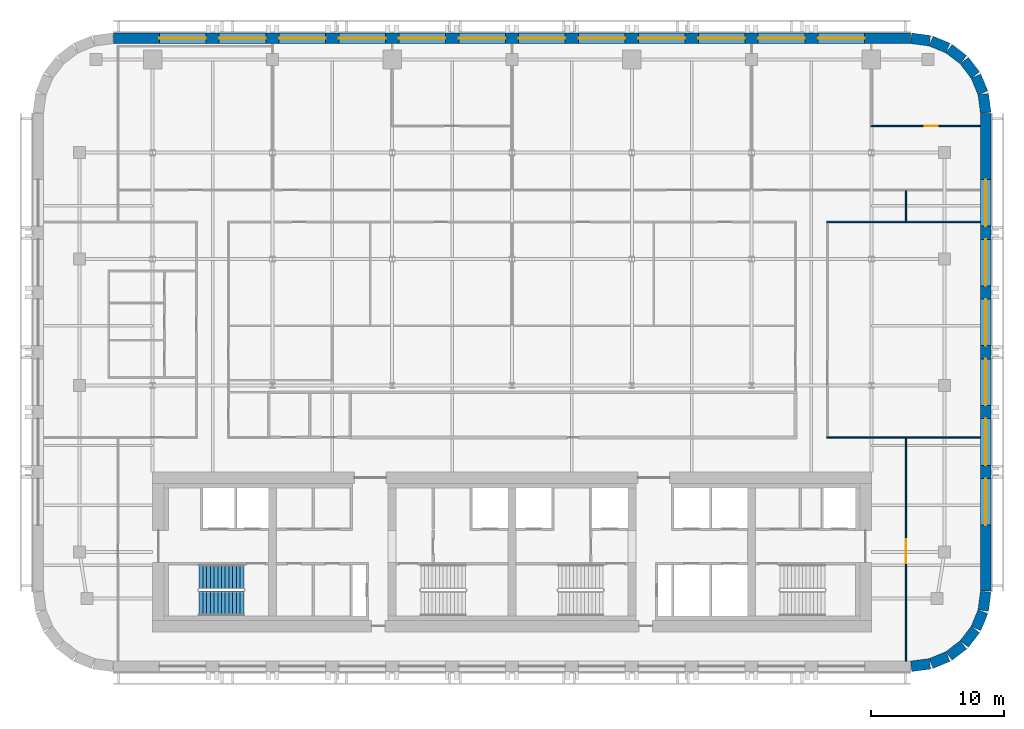
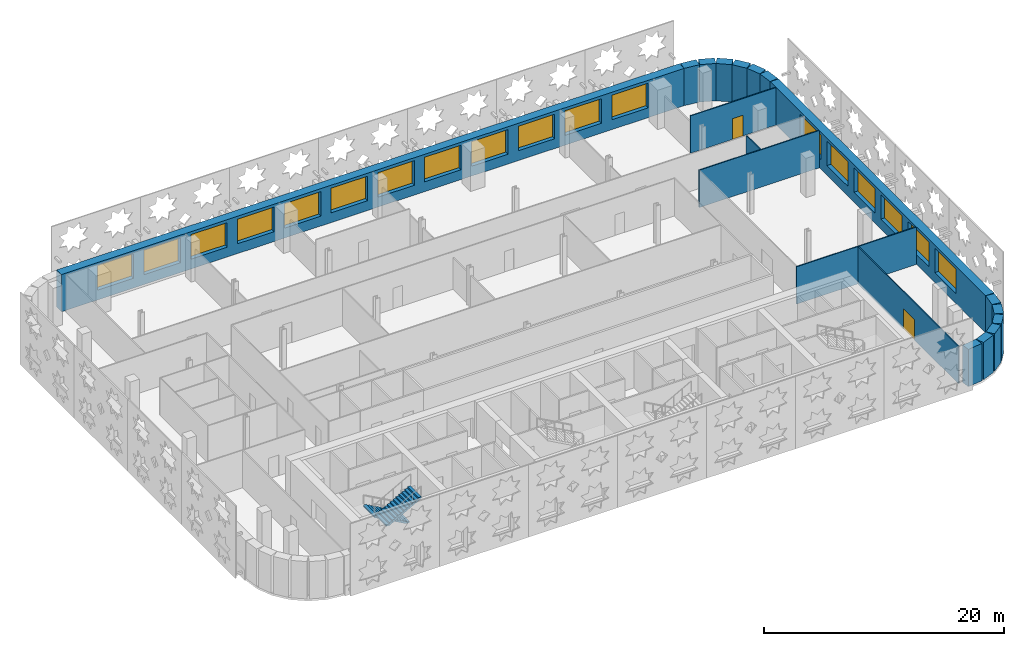
# One storey, part 7 of 12: 19 walls, 18 windows, 2 doors, 2 stair flights, 20 openings, 1 element without a shape of its own.
"""IFC4 building model written with IfcOpenShell, lengths in metres."""

from ifc_helpers import new_model, si_unit, direction, frame, frame_2d, origin, place, context, subcontext, project, spatial, polyline, rectangle, outline, extrude, material, layer, layer_set, type_object, element, fill, aggregate, save


model = new_model("IFC4")

# Units and contexts
model_context = context("Model", 3, precision=1e-05, world=origin(), true_north=direction((0.0, 1.0)))
body_context = subcontext(model_context, "Body", "Model", "MODEL_VIEW")
ifc_project = project(units=[si_unit("LENGTHUNIT", "METRE"), si_unit("AREAUNIT", "SQUARE_METRE"), si_unit("VOLUMEUNIT", "CUBIC_METRE"), si_unit("PLANEANGLEUNIT", "RADIAN"), si_unit("MASSUNIT", "GRAM", prefix="KILO")], contexts=[model_context])

# Site, building, storey
site_placement = place(None, origin())
site = spatial("IfcSite", under=ifc_project, at=site_placement, CompositionType="ELEMENT")
building_placement = place(site_placement, origin())
building = spatial("IfcBuilding", under=site, at=building_placement, Name="Zellij Exchange Tower", CompositionType="ELEMENT")
storey_placement = place(building_placement, frame((0.0, 0.0, 180.5)))
storey = spatial("IfcBuildingStorey", under=building, at=storey_placement, Name="L41", CompositionType="ELEMENT", Elevation=180.5)

# Walls
ifc_material_1 = material(Name="Precast concrete C40/50", Category="concrete")
ifc_layer_1 = layer(ifc_material_1, 0.800048828125)
ifc_layer_set_1 = layer_set([ifc_layer_1], Name="Precast concrete C40/50")
wall_type_1 = type_object("IfcWallType", Name="ENV-EW1 Precast stone-piered wall 800", PredefinedType="SOLIDWALL", material=ifc_layer_set_1)
wall_1_placement = place(storey_placement, frame((29.999755859375, -16.5966796875, 0.0), z_axis=(0.0, 0.0, 1.0), x_axis=(0.99144603414, 0.130517283865, 0.0)))
element("IfcWall", 1, at=wall_1_placement, inside=storey, type_object=wall_type_1, Name="fac.L41.01", PredefinedType="SOLIDWALL", context=body_context, shape_type="SweptSolid", body=[
    extrude(rectangle(XDim=1.408447265625, YDim=0.800048828125, at=frame_2d((0.7041015625, 0.0))), origin(), (0.0, 0.0, 1.0), 3.800048828125),
])
wall_2_placement = place(storey_placement, frame((31.497314453125, -16.3857421875, 0.0), z_axis=(0.0, 0.0, 1.0), x_axis=(0.923847774587, 0.38276009378, 0.0)))
element("IfcWall", 2, at=wall_2_placement, inside=storey, type_object=wall_type_1, Name="fac.L41.02", PredefinedType="SOLIDWALL", context=body_context, shape_type="SweptSolid", body=[
    extrude(rectangle(XDim=1.35546875, YDim=0.800048828125, at=frame_2d((0.677734375, 0.0))), origin(), (0.0, 0.0, 1.0), 3.800048828125),
])
for number, where, z_axis, x_axis, name in (
    (3, (32.840087890625, -15.814697265625, 0.0), (0.0, 0.0, 1.0), (0.793272915452, 0.608866226366, 0.0), "fac.L41.03"),
    (4, (33.9892578125, -14.91552734375, 0.0), (0.0, 0.0, 1.0), (0.608866226366, 0.793272915452, 0.0), "fac.L41.04"),
):
    element("IfcWall", number, at=place(storey_placement, frame(where, z_axis=z_axis, x_axis=x_axis)), inside=storey, type_object=wall_type_1, Name=name, PredefinedType="SOLIDWALL", context=body_context, shape_type="SweptSolid", body=[
        extrude(rectangle(XDim=1.355712890625, YDim=0.800048828125, at=frame_2d((0.677734375, 0.0))), origin(), (0.0, 0.0, 1.0), 3.800048828125),
    ])
wall_3_placement = place(storey_placement, frame((34.866943359375, -13.74951171875, 0.0), z_axis=(0.0, 0.0, 1.0), x_axis=(0.38276009378, 0.923847774587, 0.0)))
element("IfcWall", 5, at=wall_3_placement, inside=storey, type_object=wall_type_1, Name="fac.L41.05", PredefinedType="SOLIDWALL", context=body_context, shape_type="SweptSolid", body=[
    extrude(rectangle(XDim=1.35546875, YDim=0.800048828125, at=frame_2d((0.677734375, 0.0))), origin(), (0.0, 0.0, 1.0), 3.800048828125),
])
wall_4_placement = place(storey_placement, frame((35.412841796875, -12.396240234375, 0.0), z_axis=(0.0, 0.0, 1.0), x_axis=(0.130517283865, 0.99144603414, 0.0)))
element("IfcWall", 6, at=wall_4_placement, inside=storey, type_object=wall_type_1, Name="fac.L41.06", PredefinedType="SOLIDWALL", context=body_context, shape_type="SweptSolid", body=[
    extrude(rectangle(XDim=1.408447265625, YDim=0.800048828125, at=frame_2d((0.7041015625, 0.0))), origin(), (0.0, 0.0, 1.0), 3.800048828125),
])

# Wall, openings, windows
wall_5_placement = place(storey_placement, frame((35.60009765625, -10.947509765625, 0.0), z_axis=(0.0, 0.0, 1.0), x_axis=(0.0, 1.0, 0.0)))
wall_5 = element("IfcWall", 7, at=wall_5_placement, inside=storey, type_object=wall_type_1, Name="fac.L41.07", PredefinedType="SOLIDWALL", context=body_context, shape_type="SweptSolid", body=[
    extrude(rectangle(XDim=35.89501953125, YDim=0.800048828125, at=frame_2d((17.947509765625, 0.0))), origin(), (0.0, 0.0, 1.0), 3.800048828125),
])
opening_1_placement = place(wall_5_placement, frame((4.9638671875, 0.0, 1.0)))
opening_1 = element("IfcOpeningElement", 8, at=opening_1_placement, cuts=wall_5, Name="Opening FZ3.13", PredefinedType="OPENING", context=body_context, shape_type="SweptSolid", body=[
    extrude(rectangle(XDim=3.5, YDim=2.5, at=frame_2d((1.75, 1.25))), frame((0.0, 0.412109375, 0.0), z_axis=(0.0, -1.0, 0.0), x_axis=(1.0, 0.0, 0.0)), (0.0, 0.0, 1.0), 0.823974609375),
])
opening_2_placement = place(wall_5_placement, frame((9.45751953125, 0.0, 1.0)))
opening_2 = element("IfcOpeningElement", 9, at=opening_2_placement, cuts=wall_5, Name="Opening FZ3.14", PredefinedType="OPENING", context=body_context, shape_type="SweptSolid", body=[
    extrude(rectangle(XDim=3.5, YDim=2.5, at=frame_2d((1.75, 1.25))), frame((0.0, 0.412109375, 0.0), z_axis=(0.0, -1.0, 0.0), x_axis=(1.0, 0.0, 0.0)), (0.0, 0.0, 1.0), 0.823974609375),
])
opening_3_placement = place(wall_5_placement, frame((13.950927734375, 0.0, 1.0)))
opening_3 = element("IfcOpeningElement", 10, at=opening_3_placement, cuts=wall_5, Name="Opening FZ3.15", PredefinedType="OPENING", context=body_context, shape_type="SweptSolid", body=[
    extrude(rectangle(XDim=3.5, YDim=2.5, at=frame_2d((1.75, 1.25))), frame((0.0, 0.412109375, 0.0), z_axis=(0.0, -1.0, 0.0), x_axis=(1.0, 0.0, 0.0)), (0.0, 0.0, 1.0), 0.823974609375),
])
opening_4_placement = place(wall_5_placement, frame((18.4443359375, 0.0, 1.0)))
opening_4 = element("IfcOpeningElement", 11, at=opening_4_placement, cuts=wall_5, Name="Opening FZ3.16", PredefinedType="OPENING", context=body_context, shape_type="SweptSolid", body=[
    extrude(rectangle(XDim=3.5, YDim=2.5, at=frame_2d((1.75, 1.25))), frame((0.0, 0.412109375, 0.0), z_axis=(0.0, -1.0, 0.0), x_axis=(1.0, 0.0, 0.0)), (0.0, 0.0, 1.0), 0.823974609375),
])
opening_5_placement = place(wall_5_placement, frame((22.937744140625, 0.0, 1.0)))
opening_5 = element("IfcOpeningElement", 12, at=opening_5_placement, cuts=wall_5, Name="Opening FZ3.17", PredefinedType="OPENING", context=body_context, shape_type="SweptSolid", body=[
    extrude(rectangle(XDim=3.5, YDim=2.5, at=frame_2d((1.75, 1.25))), frame((0.0, 0.412109375, 0.0), z_axis=(0.0, -1.0, 0.0), x_axis=(1.0, 0.0, 0.0)), (0.0, 0.0, 1.0), 0.823974609375),
])
opening_6_placement = place(wall_5_placement, frame((27.43115234375, 0.0, 1.0)))
opening_6 = element("IfcOpeningElement", 13, at=opening_6_placement, cuts=wall_5, Name="Opening FZ3.18", PredefinedType="OPENING", context=body_context, shape_type="SweptSolid", body=[
    extrude(rectangle(XDim=3.5, YDim=2.5, at=frame_2d((1.75, 1.25))), frame((0.0, 0.412109375, 0.0), z_axis=(0.0, -1.0, 0.0), x_axis=(1.0, 0.0, 0.0)), (0.0, 0.0, 1.0), 0.823974609375),
])
ifc_material_2 = material(Name="Aluminium frame with insulating glass", Category="aluminium")
window_type = type_object("IfcWindowType", Name="ENV-W1 Window 3500x2500", PartitioningType="SINGLE_PANEL", PredefinedType="WINDOW", material=ifc_material_2)
window_1_placement = place(opening_1_placement, origin())
window_1 = element("IfcWindow", 14, at=window_1_placement, inside=storey, type_object=window_type, Name="Window FZ3.13", OverallHeight=2.5, OverallWidth=3.5, PartitioningType="SINGLE_PANEL", PredefinedType="WINDOW", context=body_context, shape_type="SweptSolid", body=[
    extrude(rectangle(XDim=3.5, YDim=2.5, at=frame_2d((1.75, 1.25))), frame((0.0, 0.030029296875, 0.0), z_axis=(0.0, -1.0, 0.0), x_axis=(1.0, 0.0, 0.0)), (0.0, 0.0, 1.0), 0.06005859375),
])
fill(opening_1, window_1)
window_2_placement = place(opening_2_placement, origin())
window_2 = element("IfcWindow", 15, at=window_2_placement, inside=storey, type_object=window_type, Name="Window FZ3.14", OverallHeight=2.5, OverallWidth=3.5, PartitioningType="SINGLE_PANEL", PredefinedType="WINDOW", context=body_context, shape_type="SweptSolid", body=[
    extrude(rectangle(XDim=3.5, YDim=2.5, at=frame_2d((1.75, 1.25))), frame((0.0, 0.030029296875, 0.0), z_axis=(0.0, -1.0, 0.0), x_axis=(1.0, 0.0, 0.0)), (0.0, 0.0, 1.0), 0.06005859375),
])
fill(opening_2, window_2)
window_3_placement = place(opening_3_placement, origin())
window_3 = element("IfcWindow", 16, at=window_3_placement, inside=storey, type_object=window_type, Name="Window FZ3.15", OverallHeight=2.5, OverallWidth=3.5, PartitioningType="SINGLE_PANEL", PredefinedType="WINDOW", context=body_context, shape_type="SweptSolid", body=[
    extrude(rectangle(XDim=3.5, YDim=2.5, at=frame_2d((1.75, 1.25))), frame((0.0, 0.030029296875, 0.0), z_axis=(0.0, -1.0, 0.0), x_axis=(1.0, 0.0, 0.0)), (0.0, 0.0, 1.0), 0.06005859375),
])
fill(opening_3, window_3)
window_4_placement = place(opening_4_placement, origin())
window_4 = element("IfcWindow", 17, at=window_4_placement, inside=storey, type_object=window_type, Name="Window FZ3.16", OverallHeight=2.5, OverallWidth=3.5, PartitioningType="SINGLE_PANEL", PredefinedType="WINDOW", context=body_context, shape_type="SweptSolid", body=[
    extrude(rectangle(XDim=3.5, YDim=2.5, at=frame_2d((1.75, 1.25))), frame((0.0, 0.030029296875, 0.0), z_axis=(0.0, -1.0, 0.0), x_axis=(1.0, 0.0, 0.0)), (0.0, 0.0, 1.0), 0.06005859375),
])
fill(opening_4, window_4)
window_5_placement = place(opening_5_placement, origin())
window_5 = element("IfcWindow", 18, at=window_5_placement, inside=storey, type_object=window_type, Name="Window FZ3.17", OverallHeight=2.5, OverallWidth=3.5, PartitioningType="SINGLE_PANEL", PredefinedType="WINDOW", context=body_context, shape_type="SweptSolid", body=[
    extrude(rectangle(XDim=3.5, YDim=2.5, at=frame_2d((1.75, 1.25))), frame((0.0, 0.030029296875, 0.0), z_axis=(0.0, -1.0, 0.0), x_axis=(1.0, 0.0, 0.0)), (0.0, 0.0, 1.0), 0.06005859375),
])
fill(opening_5, window_5)
window_6_placement = place(opening_6_placement, origin())
window_6 = element("IfcWindow", 19, at=window_6_placement, inside=storey, type_object=window_type, Name="Window FZ3.18", OverallHeight=2.5, OverallWidth=3.5, PartitioningType="SINGLE_PANEL", PredefinedType="WINDOW", context=body_context, shape_type="SweptSolid", body=[
    extrude(rectangle(XDim=3.5, YDim=2.5, at=frame_2d((1.75, 1.25))), frame((0.0, 0.030029296875, 0.0), z_axis=(0.0, -1.0, 0.0), x_axis=(1.0, 0.0, 0.0)), (0.0, 0.0, 1.0), 0.06005859375),
])
fill(opening_6, window_6)

# Walls
wall_6_placement = place(storey_placement, frame((35.5966796875, 24.999755859375, 0.0), z_axis=(0.0, 0.0, 1.0), x_axis=(-0.130517283865, 0.99144603414, 0.0)))
element("IfcWall", 20, at=wall_6_placement, inside=storey, type_object=wall_type_1, Name="fac.L41.08", PredefinedType="SOLIDWALL", context=body_context, shape_type="SweptSolid", body=[
    extrude(rectangle(XDim=1.408447265625, YDim=0.800048828125, at=frame_2d((0.7041015625, 0.0))), origin(), (0.0, 0.0, 1.0), 3.800048828125),
])
wall_7_placement = place(storey_placement, frame((35.3857421875, 26.497314453125, 0.0), z_axis=(0.0, 0.0, 1.0), x_axis=(-0.38276009378, 0.923847774587, 0.0)))
element("IfcWall", 21, at=wall_7_placement, inside=storey, type_object=wall_type_1, Name="fac.L41.09", PredefinedType="SOLIDWALL", context=body_context, shape_type="SweptSolid", body=[
    extrude(rectangle(XDim=1.35546875, YDim=0.800048828125, at=frame_2d((0.677734375, 0.0))), origin(), (0.0, 0.0, 1.0), 3.800048828125),
])
for number, where, z_axis, x_axis, name in (
    (22, (34.814697265625, 27.840087890625, 0.0), (0.0, 0.0, 1.0), (-0.608866226366, 0.793272915452, 0.0), "fac.L41.10"),
    (23, (33.91552734375, 28.9892578125, 0.0), (0.0, 0.0, 1.0), (-0.793272915452, 0.608866226366, 0.0), "fac.L41.11"),
):
    element("IfcWall", number, at=place(storey_placement, frame(where, z_axis=z_axis, x_axis=x_axis)), inside=storey, type_object=wall_type_1, Name=name, PredefinedType="SOLIDWALL", context=body_context, shape_type="SweptSolid", body=[
        extrude(rectangle(XDim=1.355712890625, YDim=0.800048828125, at=frame_2d((0.677734375, 0.0))), origin(), (0.0, 0.0, 1.0), 3.800048828125),
    ])
wall_8_placement = place(storey_placement, frame((32.74951171875, 29.866943359375, 0.0), z_axis=(0.0, 0.0, 1.0), x_axis=(-0.923847774587, 0.38276009378, 0.0)))
element("IfcWall", 24, at=wall_8_placement, inside=storey, type_object=wall_type_1, Name="fac.L41.12", PredefinedType="SOLIDWALL", context=body_context, shape_type="SweptSolid", body=[
    extrude(rectangle(XDim=1.35546875, YDim=0.800048828125, at=frame_2d((0.677734375, 0.0))), origin(), (0.0, 0.0, 1.0), 3.800048828125),
])
wall_9_placement = place(storey_placement, frame((31.396240234375, 30.412841796875, 0.0), z_axis=(0.0, 0.0, 1.0), x_axis=(-0.99144603414, 0.130517283865, 0.0)))
element("IfcWall", 25, at=wall_9_placement, inside=storey, type_object=wall_type_1, Name="fac.L41.13", PredefinedType="SOLIDWALL", context=body_context, shape_type="SweptSolid", body=[
    extrude(rectangle(XDim=1.408447265625, YDim=0.800048828125, at=frame_2d((0.7041015625, 0.0))), origin(), (0.0, 0.0, 1.0), 3.800048828125),
])

# Wall, openings, windows
wall_10_placement = place(storey_placement, frame((29.947509765625, 30.60009765625, 0.0), z_axis=(0.0, 0.0, 1.0), x_axis=(-1.0, 0.0, 0.0)))
wall_10 = element("IfcWall", 26, at=wall_10_placement, inside=storey, type_object=wall_type_1, Name="fac.L41.14", PredefinedType="SOLIDWALL", context=body_context, shape_type="SweptSolid", body=[
    extrude(rectangle(XDim=59.89501953125, YDim=0.800048828125, at=frame_2d((29.947509765625, 0.0))), origin(), (0.0, 0.0, 1.0), 3.800048828125),
])
opening_7_placement = place(wall_10_placement, frame((3.447509765625, 0.0, 1.0)))
opening_7 = element("IfcOpeningElement", 27, at=opening_7_placement, cuts=wall_10, Name="Opening FZ3.19", PredefinedType="OPENING", context=body_context, shape_type="SweptSolid", body=[
    extrude(rectangle(XDim=3.5, YDim=2.5, at=frame_2d((1.75, 1.25))), frame((0.0, 0.412109375, 0.0), z_axis=(0.0, -1.0, 0.0), x_axis=(1.0, 0.0, 0.0)), (0.0, 0.0, 1.0), 0.823974609375),
])
opening_8_placement = place(wall_10_placement, frame((7.947509765625, 0.0, 1.0)))
opening_8 = element("IfcOpeningElement", 28, at=opening_8_placement, cuts=wall_10, Name="Opening FZ3.20", PredefinedType="OPENING", context=body_context, shape_type="SweptSolid", body=[
    extrude(rectangle(XDim=3.5, YDim=2.5, at=frame_2d((1.75, 1.25))), frame((0.0, 0.412109375, 0.0), z_axis=(0.0, -1.0, 0.0), x_axis=(1.0, 0.0, 0.0)), (0.0, 0.0, 1.0), 0.823974609375),
])
opening_9_placement = place(wall_10_placement, frame((12.447509765625, 0.0, 1.0)))
opening_9 = element("IfcOpeningElement", 29, at=opening_9_placement, cuts=wall_10, Name="Opening FZ3.21", PredefinedType="OPENING", context=body_context, shape_type="SweptSolid", body=[
    extrude(rectangle(XDim=3.5, YDim=2.5, at=frame_2d((1.75, 1.25))), frame((0.0, 0.412109375, 0.0), z_axis=(0.0, -1.0, 0.0), x_axis=(1.0, 0.0, 0.0)), (0.0, 0.0, 1.0), 0.823974609375),
])
opening_10_placement = place(wall_10_placement, frame((16.947509765625, 0.0, 1.0)))
opening_10 = element("IfcOpeningElement", 30, at=opening_10_placement, cuts=wall_10, Name="Opening FZ3.22", PredefinedType="OPENING", context=body_context, shape_type="SweptSolid", body=[
    extrude(rectangle(XDim=3.5, YDim=2.5, at=frame_2d((1.75, 1.25))), frame((0.0, 0.412109375, 0.0), z_axis=(0.0, -1.0, 0.0), x_axis=(1.0, 0.0, 0.0)), (0.0, 0.0, 1.0), 0.823974609375),
])
opening_11_placement = place(wall_10_placement, frame((21.447509765625, 0.0, 1.0)))
opening_11 = element("IfcOpeningElement", 31, at=opening_11_placement, cuts=wall_10, Name="Opening FZ3.23", PredefinedType="OPENING", context=body_context, shape_type="SweptSolid", body=[
    extrude(rectangle(XDim=3.5, YDim=2.5, at=frame_2d((1.75, 1.25))), frame((0.0, 0.412109375, 0.0), z_axis=(0.0, -1.0, 0.0), x_axis=(1.0, 0.0, 0.0)), (0.0, 0.0, 1.0), 0.823974609375),
])
opening_12_placement = place(wall_10_placement, frame((25.947509765625, 0.0, 1.0)))
opening_12 = element("IfcOpeningElement", 32, at=opening_12_placement, cuts=wall_10, Name="Opening FZ3.24", PredefinedType="OPENING", context=body_context, shape_type="SweptSolid", body=[
    extrude(rectangle(XDim=3.5, YDim=2.5, at=frame_2d((1.75, 1.25))), frame((0.0, 0.412109375, 0.0), z_axis=(0.0, -1.0, 0.0), x_axis=(1.0, 0.0, 0.0)), (0.0, 0.0, 1.0), 0.823974609375),
])
opening_13_placement = place(wall_10_placement, frame((30.447509765625, 0.0, 1.0)))
opening_13 = element("IfcOpeningElement", 33, at=opening_13_placement, cuts=wall_10, Name="Opening FZ3.25", PredefinedType="OPENING", context=body_context, shape_type="SweptSolid", body=[
    extrude(rectangle(XDim=3.5, YDim=2.5, at=frame_2d((1.75, 1.25))), frame((0.0, 0.412109375, 0.0), z_axis=(0.0, -1.0, 0.0), x_axis=(1.0, 0.0, 0.0)), (0.0, 0.0, 1.0), 0.823974609375),
])
opening_14_placement = place(wall_10_placement, frame((34.947509765625, 0.0, 1.0)))
opening_14 = element("IfcOpeningElement", 34, at=opening_14_placement, cuts=wall_10, Name="Opening FZ3.26", PredefinedType="OPENING", context=body_context, shape_type="SweptSolid", body=[
    extrude(rectangle(XDim=3.5, YDim=2.5, at=frame_2d((1.75, 1.25))), frame((0.0, 0.412109375, 0.0), z_axis=(0.0, -1.0, 0.0), x_axis=(1.0, 0.0, 0.0)), (0.0, 0.0, 1.0), 0.823974609375),
])
opening_15_placement = place(wall_10_placement, frame((39.447509765625, 0.0, 1.0)))
opening_15 = element("IfcOpeningElement", 35, at=opening_15_placement, cuts=wall_10, Name="Opening FZ3.27", PredefinedType="OPENING", context=body_context, shape_type="SweptSolid", body=[
    extrude(rectangle(XDim=3.5, YDim=2.5, at=frame_2d((1.75, 1.25))), frame((0.0, 0.412109375, 0.0), z_axis=(0.0, -1.0, 0.0), x_axis=(1.0, 0.0, 0.0)), (0.0, 0.0, 1.0), 0.823974609375),
])
opening_16_placement = place(wall_10_placement, frame((43.947509765625, 0.0, 1.0)))
opening_16 = element("IfcOpeningElement", 36, at=opening_16_placement, cuts=wall_10, Name="Opening FZ3.28", PredefinedType="OPENING", context=body_context, shape_type="SweptSolid", body=[
    extrude(rectangle(XDim=3.5, YDim=2.5, at=frame_2d((1.75, 1.25))), frame((0.0, 0.412109375, 0.0), z_axis=(0.0, -1.0, 0.0), x_axis=(1.0, 0.0, 0.0)), (0.0, 0.0, 1.0), 0.823974609375),
])
opening_17_placement = place(wall_10_placement, frame((48.447509765625, 0.0, 1.0)))
opening_17 = element("IfcOpeningElement", 37, at=opening_17_placement, cuts=wall_10, Name="Opening FZ3.29", PredefinedType="OPENING", context=body_context, shape_type="SweptSolid", body=[
    extrude(rectangle(XDim=3.5, YDim=2.5, at=frame_2d((1.75, 1.25))), frame((0.0, 0.412109375, 0.0), z_axis=(0.0, -1.0, 0.0), x_axis=(1.0, 0.0, 0.0)), (0.0, 0.0, 1.0), 0.823974609375),
])
opening_18_placement = place(wall_10_placement, frame((52.947509765625, 0.0, 1.0)))
opening_18 = element("IfcOpeningElement", 38, at=opening_18_placement, cuts=wall_10, Name="Opening FZ3.30", PredefinedType="OPENING", context=body_context, shape_type="SweptSolid", body=[
    extrude(rectangle(XDim=3.5, YDim=2.5, at=frame_2d((1.75, 1.25))), frame((0.0, 0.412109375, 0.0), z_axis=(0.0, -1.0, 0.0), x_axis=(1.0, 0.0, 0.0)), (0.0, 0.0, 1.0), 0.823974609375),
])
window_7_placement = place(opening_7_placement, origin())
window_7 = element("IfcWindow", 39, at=window_7_placement, inside=storey, type_object=window_type, Name="Window FZ3.19", OverallHeight=2.5, OverallWidth=3.5, PartitioningType="SINGLE_PANEL", PredefinedType="WINDOW", context=body_context, shape_type="SweptSolid", body=[
    extrude(rectangle(XDim=3.5, YDim=2.5, at=frame_2d((1.75, 1.25))), frame((0.0, 0.030029296875, 0.0), z_axis=(0.0, -1.0, 0.0), x_axis=(1.0, 0.0, 0.0)), (0.0, 0.0, 1.0), 0.06005859375),
])
fill(opening_7, window_7)
window_8_placement = place(opening_8_placement, origin())
window_8 = element("IfcWindow", 40, at=window_8_placement, inside=storey, type_object=window_type, Name="Window FZ3.20", OverallHeight=2.5, OverallWidth=3.5, PartitioningType="SINGLE_PANEL", PredefinedType="WINDOW", context=body_context, shape_type="SweptSolid", body=[
    extrude(rectangle(XDim=3.5, YDim=2.5, at=frame_2d((1.75, 1.25))), frame((0.0, 0.030029296875, 0.0), z_axis=(0.0, -1.0, 0.0), x_axis=(1.0, 0.0, 0.0)), (0.0, 0.0, 1.0), 0.06005859375),
])
fill(opening_8, window_8)
window_9_placement = place(opening_9_placement, origin())
window_9 = element("IfcWindow", 41, at=window_9_placement, inside=storey, type_object=window_type, Name="Window FZ3.21", OverallHeight=2.5, OverallWidth=3.5, PartitioningType="SINGLE_PANEL", PredefinedType="WINDOW", context=body_context, shape_type="SweptSolid", body=[
    extrude(rectangle(XDim=3.5, YDim=2.5, at=frame_2d((1.75, 1.25))), frame((0.0, 0.030029296875, 0.0), z_axis=(0.0, -1.0, 0.0), x_axis=(1.0, 0.0, 0.0)), (0.0, 0.0, 1.0), 0.06005859375),
])
fill(opening_9, window_9)
window_10_placement = place(opening_10_placement, origin())
window_10 = element("IfcWindow", 42, at=window_10_placement, inside=storey, type_object=window_type, Name="Window FZ3.22", OverallHeight=2.5, OverallWidth=3.5, PartitioningType="SINGLE_PANEL", PredefinedType="WINDOW", context=body_context, shape_type="SweptSolid", body=[
    extrude(rectangle(XDim=3.5, YDim=2.5, at=frame_2d((1.75, 1.25))), frame((0.0, 0.030029296875, 0.0), z_axis=(0.0, -1.0, 0.0), x_axis=(1.0, 0.0, 0.0)), (0.0, 0.0, 1.0), 0.06005859375),
])
fill(opening_10, window_10)
window_11_placement = place(opening_11_placement, origin())
window_11 = element("IfcWindow", 43, at=window_11_placement, inside=storey, type_object=window_type, Name="Window FZ3.23", OverallHeight=2.5, OverallWidth=3.5, PartitioningType="SINGLE_PANEL", PredefinedType="WINDOW", context=body_context, shape_type="SweptSolid", body=[
    extrude(rectangle(XDim=3.5, YDim=2.5, at=frame_2d((1.75, 1.25))), frame((0.0, 0.030029296875, 0.0), z_axis=(0.0, -1.0, 0.0), x_axis=(1.0, 0.0, 0.0)), (0.0, 0.0, 1.0), 0.06005859375),
])
fill(opening_11, window_11)
window_12_placement = place(opening_12_placement, origin())
window_12 = element("IfcWindow", 44, at=window_12_placement, inside=storey, type_object=window_type, Name="Window FZ3.24", OverallHeight=2.5, OverallWidth=3.5, PartitioningType="SINGLE_PANEL", PredefinedType="WINDOW", context=body_context, shape_type="SweptSolid", body=[
    extrude(rectangle(XDim=3.5, YDim=2.5, at=frame_2d((1.75, 1.25))), frame((0.0, 0.030029296875, 0.0), z_axis=(0.0, -1.0, 0.0), x_axis=(1.0, 0.0, 0.0)), (0.0, 0.0, 1.0), 0.06005859375),
])
fill(opening_12, window_12)
window_13_placement = place(opening_13_placement, origin())
window_13 = element("IfcWindow", 45, at=window_13_placement, inside=storey, type_object=window_type, Name="Window FZ3.25", OverallHeight=2.5, OverallWidth=3.5, PartitioningType="SINGLE_PANEL", PredefinedType="WINDOW", context=body_context, shape_type="SweptSolid", body=[
    extrude(rectangle(XDim=3.5, YDim=2.5, at=frame_2d((1.75, 1.25))), frame((0.0, 0.030029296875, 0.0), z_axis=(0.0, -1.0, 0.0), x_axis=(1.0, 0.0, 0.0)), (0.0, 0.0, 1.0), 0.06005859375),
])
fill(opening_13, window_13)
window_14_placement = place(opening_14_placement, origin())
window_14 = element("IfcWindow", 46, at=window_14_placement, inside=storey, type_object=window_type, Name="Window FZ3.26", OverallHeight=2.5, OverallWidth=3.5, PartitioningType="SINGLE_PANEL", PredefinedType="WINDOW", context=body_context, shape_type="SweptSolid", body=[
    extrude(rectangle(XDim=3.5, YDim=2.5, at=frame_2d((1.75, 1.25))), frame((0.0, 0.030029296875, 0.0), z_axis=(0.0, -1.0, 0.0), x_axis=(1.0, 0.0, 0.0)), (0.0, 0.0, 1.0), 0.06005859375),
])
fill(opening_14, window_14)
window_15_placement = place(opening_15_placement, origin())
window_15 = element("IfcWindow", 47, at=window_15_placement, inside=storey, type_object=window_type, Name="Window FZ3.27", OverallHeight=2.5, OverallWidth=3.5, PartitioningType="SINGLE_PANEL", PredefinedType="WINDOW", context=body_context, shape_type="SweptSolid", body=[
    extrude(rectangle(XDim=3.5, YDim=2.5, at=frame_2d((1.75, 1.25))), frame((0.0, 0.030029296875, 0.0), z_axis=(0.0, -1.0, 0.0), x_axis=(1.0, 0.0, 0.0)), (0.0, 0.0, 1.0), 0.06005859375),
])
fill(opening_15, window_15)
window_16_placement = place(opening_16_placement, origin())
window_16 = element("IfcWindow", 48, at=window_16_placement, inside=storey, type_object=window_type, Name="Window FZ3.28", OverallHeight=2.5, OverallWidth=3.5, PartitioningType="SINGLE_PANEL", PredefinedType="WINDOW", context=body_context, shape_type="SweptSolid", body=[
    extrude(rectangle(XDim=3.5, YDim=2.5, at=frame_2d((1.75, 1.25))), frame((0.0, 0.030029296875, 0.0), z_axis=(0.0, -1.0, 0.0), x_axis=(1.0, 0.0, 0.0)), (0.0, 0.0, 1.0), 0.06005859375),
])
fill(opening_16, window_16)
window_17_placement = place(opening_17_placement, origin())
window_17 = element("IfcWindow", 49, at=window_17_placement, inside=storey, type_object=window_type, Name="Window FZ3.29", OverallHeight=2.5, OverallWidth=3.5, PartitioningType="SINGLE_PANEL", PredefinedType="WINDOW", context=body_context, shape_type="SweptSolid", body=[
    extrude(rectangle(XDim=3.5, YDim=2.5, at=frame_2d((1.75, 1.25))), frame((0.0, 0.030029296875, 0.0), z_axis=(0.0, -1.0, 0.0), x_axis=(1.0, 0.0, 0.0)), (0.0, 0.0, 1.0), 0.06005859375),
])
fill(opening_17, window_17)
window_18_placement = place(opening_18_placement, origin())
window_18 = element("IfcWindow", 50, at=window_18_placement, inside=storey, type_object=window_type, Name="Window FZ3.30", OverallHeight=2.5, OverallWidth=3.5, PartitioningType="SINGLE_PANEL", PredefinedType="WINDOW", context=body_context, shape_type="SweptSolid", body=[
    extrude(rectangle(XDim=3.5, YDim=2.5, at=frame_2d((1.75, 1.25))), frame((0.0, 0.030029296875, 0.0), z_axis=(0.0, -1.0, 0.0), x_axis=(1.0, 0.0, 0.0)), (0.0, 0.0, 1.0), 0.06005859375),
])
fill(opening_18, window_18)

# Wall, opening, door
ifc_material_3 = material(Name="Gypsum board partition on steel studs", Category="steel")
ifc_layer_2 = layer(ifc_material_3, 0.10009765625)
ifc_layer_set_2 = layer_set([ifc_layer_2], Name="Gypsum board partition on steel studs")
wall_type_2 = type_object("IfcWallType", Name="FIT-PARTITION-100", PredefinedType="PARTITIONING", material=ifc_layer_set_2)
wall_11_placement = place(storey_placement, frame((29.60009765625, -16.199951171875, 0.0), z_axis=(0.0, 0.0, 1.0), x_axis=(0.0, 1.0, 0.0)))
wall_11 = element("IfcWall", 51, at=wall_11_placement, inside=storey, type_object=wall_type_2, Name="FIT-PARTITION-100 002", PredefinedType="PARTITIONING", context=body_context, shape_type="SweptSolid", body=[
    extrude(rectangle(XDim=16.75, YDim=0.10009765625, at=frame_2d((8.375, 0.0))), origin(), (0.0, 0.0, 1.0), 3.800048828125),
])
opening_19_placement = place(wall_11_placement, frame((7.35009765625, 0.0, 0.0)))
opening_19 = element("IfcOpeningElement", 52, at=opening_19_placement, cuts=wall_11, Name="Opening O3B.02", PredefinedType="OPENING", context=body_context, shape_type="SweptSolid", body=[
    extrude(rectangle(XDim=1.800048828125, YDim=2.10009765625, at=frame_2d((0.89990234375, 1.050048828125))), frame((0.0, 0.06201171875, 0.0), z_axis=(0.0, -1.0, 0.0), x_axis=(1.0, 0.0, 0.0)), (0.0, 0.0, 1.0), 0.1240234375),
])
ifc_material_4 = material(Name="Timber door set", Category="wood")
door_type_1 = type_object("IfcDoorType", Name="FIT-D3-DOUBLE-1800X2100", OperationType="DOUBLE_DOOR_SINGLE_SWING", PredefinedType="DOOR", material=ifc_material_4)
door_1_placement = place(opening_19_placement, origin())
door_1 = element("IfcDoor", 53, at=door_1_placement, inside=storey, type_object=door_type_1, Name="Door O3B.02", OperationType="DOUBLE_DOOR_SINGLE_SWING", OverallHeight=2.10009765625, OverallWidth=1.800048828125, PredefinedType="DOOR", context=body_context, shape_type="SweptSolid", body=[
    extrude(rectangle(XDim=1.800048828125, YDim=2.10009765625, at=frame_2d((0.89990234375, 1.050048828125))), frame((0.0, 0.02490234375, 0.0), z_axis=(0.0, -1.0, 0.0), x_axis=(1.0, 0.0, 0.0)), (0.0, 0.0, 1.0), 0.050048828125),
])
fill(opening_19, door_1)

# Walls
for number, where, z_axis, x_axis, name in (
    (54, (23.64990234375, 0.60009765625, 0.0), (0.0, 0.0, 1.0), (1.0, 0.0, 0.0), "FIT-PARTITION-100 013"),
    (55, (23.64990234375, 16.800048828125, 0.0), (0.0, 0.0, 1.0), (1.0, 0.0, 0.0), "FIT-PARTITION-100 035"),
):
    element("IfcWall", number, at=place(storey_placement, frame(where, z_axis=z_axis, x_axis=x_axis)), inside=storey, type_object=wall_type_2, Name=name, PredefinedType="PARTITIONING", context=body_context, shape_type="SweptSolid", body=[
        extrude(rectangle(XDim=11.550048828125, YDim=0.10009765625, at=frame_2d((5.77490234375, 0.0))), origin(), (0.0, 0.0, 1.0), 3.800048828125),
    ])
wall_12_placement = place(storey_placement, frame((29.60009765625, 16.85009765625, 0.0), z_axis=(0.0, 0.0, 1.0), x_axis=(0.0, 1.0, 0.0)))
element("IfcWall", 56, at=wall_12_placement, inside=storey, type_object=wall_type_2, Name="FIT-PARTITION-100 036", PredefinedType="PARTITIONING", context=body_context, shape_type="SweptSolid", body=[
    extrude(rectangle(XDim=2.2998046875, YDim=0.10009765625, at=frame_2d((1.14990234375, 0.0))), origin(), (0.0, 0.0, 1.0), 3.800048828125),
])

# Wall, opening, door
wall_13_placement = place(storey_placement, frame((26.949951171875, 24.0, 0.0), z_axis=(0.0, 0.0, 1.0), x_axis=(1.0, 0.0, 0.0)))
wall_13 = element("IfcWall", 57, at=wall_13_placement, inside=storey, type_object=wall_type_2, Name="FIT-PARTITION-100 050", PredefinedType="PARTITIONING", context=body_context, shape_type="SweptSolid", body=[
    extrude(rectangle(XDim=8.25, YDim=0.10009765625, at=frame_2d((4.125, 0.0))), origin(), (0.0, 0.0, 1.0), 3.800048828125),
])
opening_20_placement = place(wall_13_placement, frame((4.050048828125, 0.0, 0.0)))
opening_20 = element("IfcOpeningElement", 58, at=opening_20_placement, cuts=wall_13, Name="Opening O3B.24", PredefinedType="OPENING", context=body_context, shape_type="SweptSolid", body=[
    extrude(rectangle(XDim=1.0, YDim=2.10009765625, at=frame_2d((0.5, 1.050048828125))), frame((0.0, 0.06201171875, 0.0), z_axis=(0.0, -1.0, 0.0), x_axis=(1.0, 0.0, 0.0)), (0.0, 0.0, 1.0), 0.1240234375),
])
door_type_2 = type_object("IfcDoorType", Name="FIT-D2-WIDE-1000X2100", OperationType="SINGLE_SWING_LEFT", PredefinedType="DOOR", material=ifc_material_4)
door_2_placement = place(opening_20_placement, origin())
door_2 = element("IfcDoor", 59, at=door_2_placement, inside=storey, type_object=door_type_2, Name="Door O3B.24", OperationType="SINGLE_SWING_LEFT", OverallHeight=2.10009765625, OverallWidth=1.0, PredefinedType="DOOR", context=body_context, shape_type="SweptSolid", body=[
    extrude(rectangle(XDim=1.0, YDim=2.10009765625, at=frame_2d((0.5, 1.050048828125))), frame((0.0, 0.02490234375, 0.0), z_axis=(0.0, -1.0, 0.0), x_axis=(1.0, 0.0, 0.0)), (0.0, 0.0, 1.0), 0.050048828125),
])
fill(opening_20, door_2)

# Stair, stair flights
ifc_material_5 = material(Name="Concrete C40/50", Category="concrete")
stair_type = type_object("IfcStairType", Name="CORE-ST exit stair 1850 wide", PredefinedType="HALF_TURN_STAIR", material=ifc_material_5)
stair_placement = place(storey_placement, origin())
stair = element("IfcStair", 60, at=stair_placement, inside=storey, type_object=stair_type, Name="L41 exit stair ST1", PredefinedType="HALF_TURN_STAIR")
stair_flight_type = type_object("IfcStairFlightType", Name="CORE-SF flight 1850 riser 153.8 going 280", PredefinedType="STRAIGHT", material=ifc_material_5)
stair_flight_1_placement = place(storey_placement, frame((-20.14990234375, -9.875, 0.0), z_axis=(0.0, 0.0, 1.0), x_axis=(-1.0, 0.0, 0.0)))
stair_flight_1 = element("IfcStairFlight", 61, at=stair_flight_1_placement, type_object=stair_flight_type, Name="ST1 flight 1", NumberOfRisers=13, NumberOfTreads=12, PredefinedType="STRAIGHT", RiserHeight=0.153846154, TreadLength=0.28, context=body_context, shape_type="SweptSolid", body=[
    extrude(outline(polyline([(0.0, 0.0), (0.0, 0.15380859375), (0.280029296875, 0.15380859375), (0.280029296875, 0.3076171875), (0.56005859375, 0.3076171875), (0.56005859375, 0.46142578125), (0.840087890625, 0.46142578125), (0.840087890625, 0.615478515625), (1.1201171875, 0.615478515625), (1.1201171875, 0.769287109375), (1.39990234375, 0.769287109375), (1.39990234375, 0.923095703125), (1.679931640625, 0.923095703125), (1.679931640625, 1.076904296875), (1.9599609375, 1.076904296875), (1.9599609375, 1.230712890625), (2.239990234375, 1.230712890625), (2.239990234375, 1.384521484375), (2.52001953125, 1.384521484375), (2.52001953125, 1.53857421875), (2.800048828125, 1.53857421875), (2.800048828125, 1.6923828125), (3.080078125, 1.6923828125), (3.080078125, 1.84619140625), (3.360107421875, 1.84619140625), (3.360107421875, 2.0), (3.360107421875, 1.675048828125), (0.311279296875, 0.0), (0.0, 0.0)])), frame((0.0, 0.925048828125, 0.0), z_axis=(0.0, -1.0, 0.0), x_axis=(1.0, 0.0, 0.0)), (0.0, 0.0, 1.0), 1.85009765625),
])
stair_flight_2_placement = place(storey_placement, frame((-23.510009765625, -11.875, 2.0), z_axis=(0.0, 0.0, 1.0), x_axis=(1.0, 0.0, 0.0)))
stair_flight_2 = element("IfcStairFlight", 62, at=stair_flight_2_placement, type_object=stair_flight_type, Name="ST1 flight 2", NumberOfRisers=13, NumberOfTreads=12, PredefinedType="STRAIGHT", RiserHeight=0.153846154, TreadLength=0.28, context=body_context, shape_type="SweptSolid", body=[
    extrude(outline(polyline([(0.0, 0.0), (0.0, 0.15380859375), (0.280029296875, 0.15380859375), (0.280029296875, 0.3076171875), (0.56005859375, 0.3076171875), (0.56005859375, 0.46142578125), (0.840087890625, 0.46142578125), (0.840087890625, 0.615478515625), (1.1201171875, 0.615478515625), (1.1201171875, 0.769287109375), (1.39990234375, 0.769287109375), (1.39990234375, 0.923095703125), (1.679931640625, 0.923095703125), (1.679931640625, 1.076904296875), (1.9599609375, 1.076904296875), (1.9599609375, 1.230712890625), (2.239990234375, 1.230712890625), (2.239990234375, 1.384521484375), (2.52001953125, 1.384521484375), (2.52001953125, 1.53857421875), (2.800048828125, 1.53857421875), (2.800048828125, 1.6923828125), (3.080078125, 1.6923828125), (3.080078125, 1.84619140625), (3.360107421875, 1.84619140625), (3.360107421875, 2.0), (3.360107421875, 1.675048828125), (0.311279296875, 0.0), (0.0, 0.0)])), frame((0.0, 0.925048828125, 0.0), z_axis=(0.0, -1.0, 0.0), x_axis=(1.0, 0.0, 0.0)), (0.0, 0.0, 1.0), 1.85009765625),
])
aggregate(stair, [stair_flight_1, stair_flight_2])

save(model, "model.ifc")
